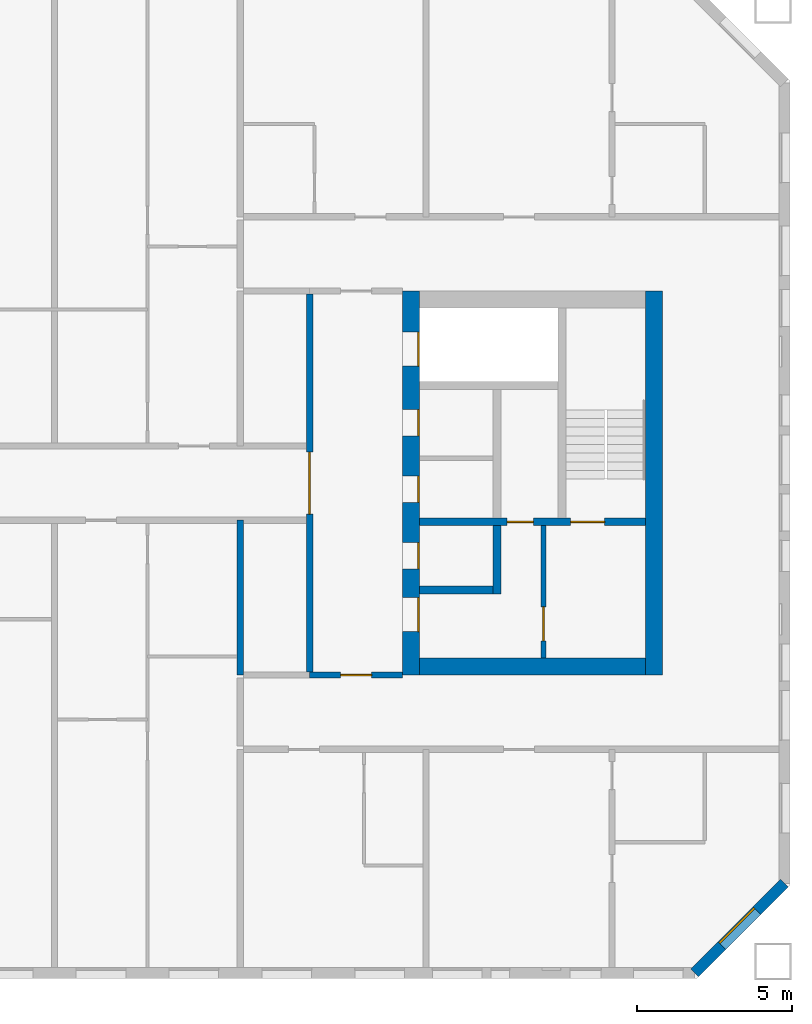
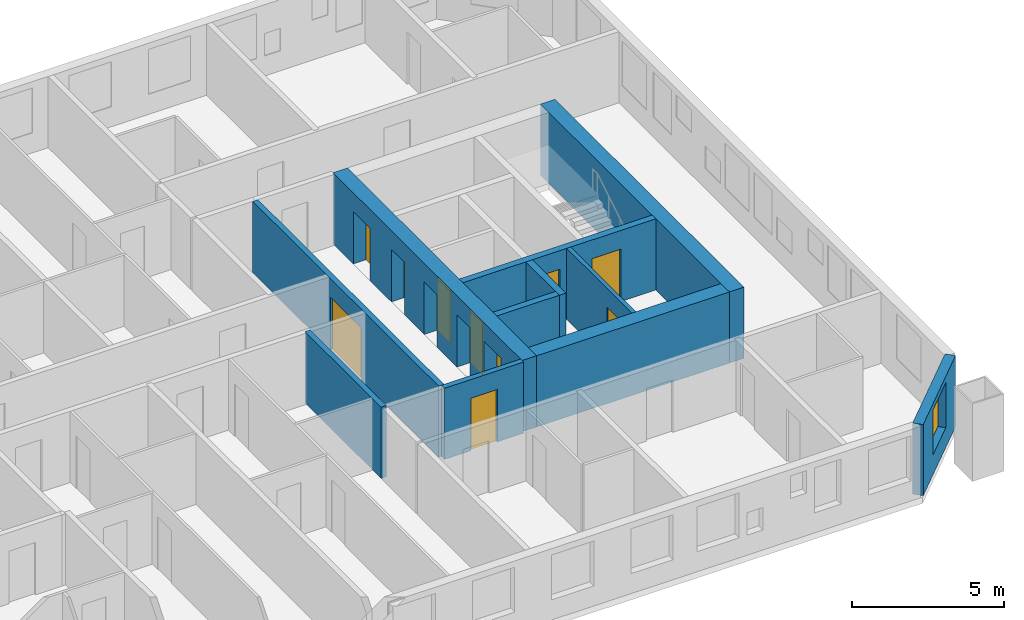
# One storey, part 13 of 17: 11 walls, 10 doors, 1 window, 11 openings.
"""IFC4 building model written with IfcOpenShell, lengths in metres."""

from ifc_helpers import new_model, si_unit, direction, frame, frame_2d, origin, place, context, subcontext, project, spatial, rectangle, extrude, material, layer, layer_set, type_object, element, fill, save


model = new_model("IFC4")

# Units and contexts
model_context = context("Model", 3, precision=1e-05, world=origin(), true_north=direction((0.0, 1.0)))
body_context = subcontext(model_context, "Body", "Model", "MODEL_VIEW")
ifc_project = project(units=[si_unit("LENGTHUNIT", "METRE"), si_unit("AREAUNIT", "SQUARE_METRE"), si_unit("VOLUMEUNIT", "CUBIC_METRE"), si_unit("PLANEANGLEUNIT", "RADIAN"), si_unit("MASSUNIT", "GRAM", prefix="KILO")], contexts=[model_context])

# Site, building, storey
site_placement = place(None, origin())
site = spatial("IfcSite", under=ifc_project, at=site_placement, CompositionType="ELEMENT")
building_placement = place(site_placement, origin())
building = spatial("IfcBuilding", under=site, at=building_placement, Name="Tuart Gate Housing", CompositionType="ELEMENT")
storey_placement = place(building_placement, frame((0.0, 0.0, 126.800048828125)))
storey = spatial("IfcBuildingStorey", under=building, at=storey_placement, Name="L35", CompositionType="ELEMENT", Elevation=126.800048828125)

# Wall, opening, window
ifc_material_1 = material(Name="Brick", Category="masonry")
ifc_layer_1 = layer(ifc_material_1, 0.360107421875)
ifc_layer_set_1 = layer_set([ifc_layer_1], Name="Brick pier and spandrel wall 360")
wall_type_1 = type_object("IfcWallType", Name="Brick pier and spandrel wall 360", PredefinedType="STANDARD", material=ifc_layer_set_1)
wall_1_placement = place(storey_placement, frame((169.67529296875, 54.179931640625, 0.0), z_axis=(0.0, 0.0, 1.0), x_axis=(0.707106781187, 0.707106781187, 0.0)))
wall_1 = element("IfcWall", 1, at=wall_1_placement, inside=storey, type_object=wall_type_1, Name="External wall B-SE L35", PredefinedType="STANDARD", context=body_context, shape_type="SweptSolid", body=[
    extrude(rectangle(XDim=4.09375, YDim=0.360107421875, at=frame_2d((2.046875, 0.0))), origin(), (0.0, 0.0, 1.0), 2.849853515625),
])
opening_1_placement = place(wall_1_placement, frame((1.2470703125, 0.0, 0.800048828125)))
opening_1 = element("IfcOpeningElement", 2, at=opening_1_placement, cuts=wall_1, Name="Opening W1", PredefinedType="OPENING", context=body_context, shape_type="SweptSolid", body=[
    extrude(rectangle(XDim=1.60009765625, YDim=1.800048828125, at=frame_2d((0.800048828125, 0.89990234375))), frame((0.0, 0.18994140625, 0.0), z_axis=(0.0, -1.0, 0.0), x_axis=(1.0, 0.0, 0.0)), (0.0, 0.0, 1.0), 0.380126953125),
])
ifc_material_2 = material(Name="Aluminium frame with clear glass", Category="aluminium")
window_type = type_object("IfcWindowType", Name="Punched window 1600 x 1800", PartitioningType="SINGLE_PANEL", PredefinedType="WINDOW", material=ifc_material_2)
window_placement = place(opening_1_placement, origin())
window = element("IfcWindow", 3, at=window_placement, inside=storey, type_object=window_type, Name="Window W1", OverallHeight=1.800048828125, OverallWidth=1.60009765625, PartitioningType="SINGLE_PANEL", PredefinedType="WINDOW", context=body_context, shape_type="SweptSolid", body=[
    extrude(rectangle(XDim=1.60009765625, YDim=1.800048828125, at=frame_2d((0.800048828125, 0.89990234375))), frame((0.0, 0.150146484375, 0.0), z_axis=(0.0, -1.0, 0.0), x_axis=(1.0, 0.0, 0.0)), (0.0, 0.0, 1.0), 0.06005859375),
])
fill(opening_1, window)

# Wall, opening, door
ifc_material_3 = material(Name="Plasterboard partition")
ifc_layer_2 = layer(ifc_material_3, 0.14990234375)
ifc_layer_set_2 = layer_set([ifc_layer_2], Name="Core partition 150")
wall_type_2 = type_object("IfcWallType", Name="Core partition 150", PredefinedType="PARTITIONING", material=ifc_layer_set_2)
wall_2_placement = place(storey_placement, frame((164.7900390625, 68.625, 0.0), z_axis=(0.0, 0.0, 1.0), x_axis=(0.0, -1.0, 0.0)))
wall_2 = element("IfcWall", 4, at=wall_2_placement, inside=storey, type_object=wall_type_2, Name="Core partition BK.7", PredefinedType="PARTITIONING", context=body_context, shape_type="SweptSolid", body=[
    extrude(rectangle(XDim=4.27490234375, YDim=0.14990234375, at=frame_2d((2.137451171875, 0.0))), origin(), (0.0, 0.0, 1.0), 2.849853515625),
])
opening_2_placement = place(wall_2_placement, frame((2.625, 0.0, 0.0)))
opening_2 = element("IfcOpeningElement", 5, at=opening_2_placement, cuts=wall_2, Name="Opening D1384", PredefinedType="OPENING", context=body_context, shape_type="SweptSolid", body=[
    extrude(rectangle(XDim=1.10009765625, YDim=2.10009765625, at=frame_2d((0.550048828125, 1.050048828125))), frame((0.0, 0.0849609375, 0.0), z_axis=(0.0, -1.0, 0.0), x_axis=(1.0, 0.0, 0.0)), (0.0, 0.0, 1.0), 0.169921875),
])
ifc_material_4 = material(Name="Steel fire door", Category="steel")
door_type_1 = type_object("IfcDoorType", Name="Lobby door 1100 x 2100 RH", OperationType="SINGLE_SWING_RIGHT", PredefinedType="DOOR", material=ifc_material_4)
door_1_placement = place(opening_2_placement, origin())
door_1 = element("IfcDoor", 6, at=door_1_placement, inside=storey, type_object=door_type_1, Name="Smoke lobby door BK.KD", OperationType="SINGLE_SWING_RIGHT", OverallHeight=2.10009765625, OverallWidth=1.10009765625, PredefinedType="DOOR", context=body_context, shape_type="SweptSolid", body=[
    extrude(rectangle(XDim=1.10009765625, YDim=2.10009765625, at=frame_2d((0.550048828125, 1.050048828125))), frame((0.0, 0.02490234375, 0.0), z_axis=(0.0, -1.0, 0.0), x_axis=(1.0, 0.0, 0.0)), (0.0, 0.0, 1.0), 0.050048828125),
])
fill(opening_2, door_1)

# Wall, openings, doors
ifc_material_5 = material(Name="Concrete C50", Category="concrete")
ifc_layer_3 = layer(ifc_material_5, 0.25)
ifc_layer_set_3 = layer_set([ifc_layer_3], Name="Core wall 250 C50")
wall_type_3 = type_object("IfcWallType", Name="Core wall 250 C50", PredefinedType="SHEAR", material=ifc_layer_set_3)
wall_3_placement = place(storey_placement, frame((160.7900390625, 68.75, 0.0), z_axis=(0.0, 0.0, 1.0), x_axis=(1.0, 0.0, 0.0)))
wall_3 = element("IfcWall", 7, at=wall_3_placement, inside=storey, type_object=wall_type_3, Name="Core wall BK.3", PredefinedType="SHEAR", context=body_context, shape_type="SweptSolid", body=[
    extrude(rectangle(XDim=7.300048828125, YDim=0.25, at=frame_2d((3.64990234375, 0.0))), origin(), (0.0, 0.0, 1.0), 2.849853515625),
])
opening_3_placement = place(wall_3_placement, frame((4.875, 0.0, 0.0)))
opening_3 = element("IfcOpeningElement", 8, at=opening_3_placement, cuts=wall_3, Name="Opening D1383", PredefinedType="OPENING", context=body_context, shape_type="SweptSolid", body=[
    extrude(rectangle(XDim=1.10009765625, YDim=2.10009765625, at=frame_2d((0.550048828125, 1.050048828125))), frame((0.0, 0.135009765625, 0.0), z_axis=(0.0, -1.0, 0.0), x_axis=(1.0, 0.0, 0.0)), (0.0, 0.0, 1.0), 0.27001953125),
])
opening_4_placement = place(wall_3_placement, frame((2.824951171875, 0.0, 0.0)))
opening_4 = element("IfcOpeningElement", 9, at=opening_4_placement, cuts=wall_3, Name="Opening D1382", PredefinedType="OPENING", context=body_context, shape_type="SweptSolid", body=[
    extrude(rectangle(XDim=0.85009765625, YDim=2.10009765625, at=frame_2d((0.425048828125, 1.050048828125))), frame((0.0, 0.135009765625, 0.0), z_axis=(0.0, -1.0, 0.0), x_axis=(1.0, 0.0, 0.0)), (0.0, 0.0, 1.0), 0.27001953125),
])
ifc_material_6 = material(Name="Steel fire door", Category="steel")
door_type_2 = type_object("IfcDoorType", Name="Riser door 850 x 2100", OperationType="SINGLE_SWING_LEFT", PredefinedType="DOOR", material=ifc_material_6)
door_2_placement = place(opening_4_placement, origin())
door_2 = element("IfcDoor", 10, at=door_2_placement, inside=storey, type_object=door_type_2, Name="Service room door BK.W1", OperationType="SINGLE_SWING_LEFT", OverallHeight=2.10009765625, OverallWidth=0.85009765625, PredefinedType="DOOR", context=body_context, shape_type="SweptSolid", body=[
    extrude(rectangle(XDim=0.85009765625, YDim=2.10009765625, at=frame_2d((0.425048828125, 1.050048828125))), frame((0.0, 0.02490234375, 0.0), z_axis=(0.0, -1.0, 0.0), x_axis=(1.0, 0.0, 0.0)), (0.0, 0.0, 1.0), 0.050048828125),
])
fill(opening_4, door_2)
ifc_material_7 = material(Name="Steel fire door", Category="steel")
door_type_3 = type_object("IfcDoorType", Name="Stair door 1100 x 2100", OperationType="SINGLE_SWING_LEFT", PredefinedType="DOOR", material=ifc_material_7)
door_3_placement = place(opening_3_placement, origin())
door_3 = element("IfcDoor", 11, at=door_3_placement, inside=storey, type_object=door_type_3, Name="Stair door BK.SD", OperationType="SINGLE_SWING_LEFT", OverallHeight=2.10009765625, OverallWidth=1.10009765625, PredefinedType="DOOR", context=body_context, shape_type="SweptSolid", body=[
    extrude(rectangle(XDim=1.10009765625, YDim=2.10009765625, at=frame_2d((0.550048828125, 1.050048828125))), frame((0.0, 0.02490234375, 0.0), z_axis=(0.0, -1.0, 0.0), x_axis=(1.0, 0.0, 0.0)), (0.0, 0.0, 1.0), 0.050048828125),
])
fill(opening_3, door_3)

# Walls
wall_4_placement = place(storey_placement, frame((160.7900390625, 66.550048828125, 0.0), z_axis=(0.0, 0.0, 1.0), x_axis=(1.0, 0.0, 0.0)))
element("IfcWall", 12, at=wall_4_placement, inside=storey, type_object=wall_type_3, Name="Core wall BK.4", PredefinedType="SHEAR", context=body_context, shape_type="SweptSolid", body=[
    extrude(rectangle(XDim=2.375, YDim=0.25, at=frame_2d((1.1875, 0.0))), origin(), (0.0, 0.0, 1.0), 2.849853515625),
])
wall_5_placement = place(storey_placement, frame((163.2900390625, 68.625, 0.0), z_axis=(0.0, 0.0, 1.0), x_axis=(0.0, -1.0, 0.0)))
element("IfcWall", 13, at=wall_5_placement, inside=storey, type_object=wall_type_3, Name="Core wall BK.6", PredefinedType="SHEAR", context=body_context, shape_type="SweptSolid", body=[
    extrude(rectangle(XDim=2.199951171875, YDim=0.25, at=frame_2d((1.10009765625, 0.0))), origin(), (0.0, 0.0, 1.0), 2.849853515625),
])

# Wall, openings, doors
ifc_material_8 = material(Name="Concrete C50", Category="concrete")
ifc_layer_4 = layer(ifc_material_8, 0.550048828125)
ifc_layer_set_4 = layer_set([ifc_layer_4], Name="Core wall 550 C50")
wall_type_4 = type_object("IfcWallType", Name="Core wall 550 C50", PredefinedType="SHEAR", material=ifc_layer_set_4)
wall_6_placement = place(storey_placement, frame((160.514892578125, 76.199951171875, 0.0), z_axis=(0.0, 0.0, 1.0), x_axis=(0.0, -1.0, 0.0)))
wall_6 = element("IfcWall", 14, at=wall_6_placement, inside=storey, type_object=wall_type_4, Name="Core wall BK front", PredefinedType="SHEAR", context=body_context, shape_type="SweptSolid", body=[
    extrude(rectangle(XDim=12.39990234375, YDim=0.550048828125, at=frame_2d((6.199951171875, 0.0))), origin(), (0.0, 0.0, 1.0), 2.849853515625),
])
opening_5_placement = place(wall_6_placement, frame((1.324951171875, 0.0, 0.0)))
opening_5 = element("IfcOpeningElement", 15, at=opening_5_placement, cuts=wall_6, Name="Opening LD-FB2", PredefinedType="OPENING", context=body_context, shape_type="SweptSolid", body=[
    extrude(rectangle(XDim=1.10009765625, YDim=2.10009765625, at=frame_2d((0.550048828125, 1.050048828125))), frame((0.0, 0.284912109375, 0.0), z_axis=(0.0, -1.0, 0.0), x_axis=(1.0, 0.0, 0.0)), (0.0, 0.0, 1.0), 0.570068359375),
])
opening_6_placement = place(wall_6_placement, frame((3.824951171875, 0.0, 0.0)))
opening_6 = element("IfcOpeningElement", 16, at=opening_6_placement, cuts=wall_6, Name="Opening D1377", PredefinedType="OPENING", context=body_context, shape_type="SweptSolid", body=[
    extrude(rectangle(XDim=0.85009765625, YDim=2.10009765625, at=frame_2d((0.425048828125, 1.050048828125))), frame((0.0, 0.284912109375, 0.0), z_axis=(0.0, -1.0, 0.0), x_axis=(1.0, 0.0, 0.0)), (0.0, 0.0, 1.0), 0.570068359375),
])
opening_7_placement = place(wall_6_placement, frame((5.97509765625, 0.0, 0.0)))
opening_7 = element("IfcOpeningElement", 17, at=opening_7_placement, cuts=wall_6, Name="Opening D1378", PredefinedType="OPENING", context=body_context, shape_type="SweptSolid", body=[
    extrude(rectangle(XDim=0.85009765625, YDim=2.10009765625, at=frame_2d((0.425048828125, 1.050048828125))), frame((0.0, 0.284912109375, 0.0), z_axis=(0.0, -1.0, 0.0), x_axis=(1.0, 0.0, 0.0)), (0.0, 0.0, 1.0), 0.570068359375),
])
opening_8_placement = place(wall_6_placement, frame((9.89990234375, 0.0, 0.0)))
opening_8 = element("IfcOpeningElement", 18, at=opening_8_placement, cuts=wall_6, Name="Opening D1376", PredefinedType="OPENING", context=body_context, shape_type="SweptSolid", body=[
    extrude(rectangle(XDim=1.10009765625, YDim=2.10009765625, at=frame_2d((0.550048828125, 1.050048828125))), frame((0.0, 0.284912109375, 0.0), z_axis=(0.0, -1.0, 0.0), x_axis=(1.0, 0.0, 0.0)), (0.0, 0.0, 1.0), 0.570068359375),
])
opening_9_placement = place(wall_6_placement, frame((8.125, 0.0, 0.0)))
opening_9 = element("IfcOpeningElement", 19, at=opening_9_placement, cuts=wall_6, Name="Opening D1379", PredefinedType="OPENING", context=body_context, shape_type="SweptSolid", body=[
    extrude(rectangle(XDim=0.85009765625, YDim=2.10009765625, at=frame_2d((0.425048828125, 1.050048828125))), frame((0.0, 0.284912109375, 0.0), z_axis=(0.0, -1.0, 0.0), x_axis=(1.0, 0.0, 0.0)), (0.0, 0.0, 1.0), 0.570068359375),
])
ifc_material_9 = material(Name="Stainless steel", Category="steel")
door_type_4 = type_object("IfcDoorType", Name="Landing door 1100 x 2100", OperationType="DOUBLE_DOOR_SLIDING", PredefinedType="DOOR", material=ifc_material_9)
door_4_placement = place(opening_5_placement, origin())
door_4 = element("IfcDoor", 20, at=door_4_placement, inside=storey, type_object=door_type_4, Name="Lift landing door FB2", OperationType="DOUBLE_DOOR_SLIDING", OverallHeight=2.10009765625, OverallWidth=1.10009765625, PredefinedType="DOOR", context=body_context, shape_type="SweptSolid", body=[
    extrude(rectangle(XDim=1.10009765625, YDim=2.10009765625, at=frame_2d((0.550048828125, 1.050048828125))), frame((0.0, 0.26025390625, 0.0), z_axis=(0.0, -1.0, 0.0), x_axis=(1.0, 0.0, 0.0)), (0.0, 0.0, 1.0), 0.050048828125),
])
fill(opening_5, door_4)
ifc_material_10 = material(Name="Steel fire door", Category="steel")
door_type_5 = type_object("IfcDoorType", Name="Lobby door 1100 x 2100", OperationType="SINGLE_SWING_LEFT", PredefinedType="DOOR", material=ifc_material_10)
door_5_placement = place(opening_8_placement, origin())
door_5 = element("IfcDoor", 21, at=door_5_placement, inside=storey, type_object=door_type_5, Name="Lobby entry door BK.EN", OperationType="SINGLE_SWING_LEFT", OverallHeight=2.10009765625, OverallWidth=1.10009765625, PredefinedType="DOOR", context=body_context, shape_type="SweptSolid", body=[
    extrude(rectangle(XDim=1.10009765625, YDim=2.10009765625, at=frame_2d((0.550048828125, 1.050048828125))), frame((0.0, 0.26025390625, 0.0), z_axis=(0.0, -1.0, 0.0), x_axis=(1.0, 0.0, 0.0)), (0.0, 0.0, 1.0), 0.050048828125),
])
fill(opening_8, door_5)
ifc_material_11 = material(Name="Steel fire door", Category="steel")
door_type_6 = type_object("IfcDoorType", Name="Service door 850 x 2100", OperationType="SINGLE_SWING_LEFT", PredefinedType="DOOR", material=ifc_material_11)
door_6_placement = place(opening_6_placement, origin())
door_6 = element("IfcDoor", 22, at=door_6_placement, inside=storey, type_object=door_type_6, Name="Service room door BK.FR1", OperationType="SINGLE_SWING_LEFT", OverallHeight=2.10009765625, OverallWidth=0.85009765625, PredefinedType="DOOR", context=body_context, shape_type="SweptSolid", body=[
    extrude(rectangle(XDim=0.85009765625, YDim=2.10009765625, at=frame_2d((0.425048828125, 1.050048828125))), frame((0.0, 0.26025390625, 0.0), z_axis=(0.0, -1.0, 0.0), x_axis=(1.0, 0.0, 0.0)), (0.0, 0.0, 1.0), 0.050048828125),
])
fill(opening_6, door_6)
door_7_placement = place(opening_7_placement, origin())
door_7 = element("IfcDoor", 23, at=door_7_placement, inside=storey, type_object=door_type_6, Name="Service room door BK.FR2", OperationType="SINGLE_SWING_LEFT", OverallHeight=2.10009765625, OverallWidth=0.85009765625, PredefinedType="DOOR", context=body_context, shape_type="SweptSolid", body=[
    extrude(rectangle(XDim=0.85009765625, YDim=2.10009765625, at=frame_2d((0.425048828125, 1.050048828125))), frame((0.0, 0.26025390625, 0.0), z_axis=(0.0, -1.0, 0.0), x_axis=(1.0, 0.0, 0.0)), (0.0, 0.0, 1.0), 0.050048828125),
])
fill(opening_7, door_7)
door_8_placement = place(opening_9_placement, origin())
door_8 = element("IfcDoor", 24, at=door_8_placement, inside=storey, type_object=door_type_6, Name="Service room door BK.T1", OperationType="SINGLE_SWING_LEFT", OverallHeight=2.10009765625, OverallWidth=0.85009765625, PredefinedType="DOOR", context=body_context, shape_type="SweptSolid", body=[
    extrude(rectangle(XDim=0.85009765625, YDim=2.10009765625, at=frame_2d((0.425048828125, 1.050048828125))), frame((0.0, 0.26025390625, 0.0), z_axis=(0.0, -1.0, 0.0), x_axis=(1.0, 0.0, 0.0)), (0.0, 0.0, 1.0), 0.050048828125),
])
fill(opening_9, door_8)

# Walls
wall_7_placement = place(storey_placement, frame((168.364990234375, 76.199951171875, 0.0), z_axis=(0.0, 0.0, 1.0), x_axis=(0.0, -1.0, 0.0)))
element("IfcWall", 25, at=wall_7_placement, inside=storey, type_object=wall_type_4, Name="Core wall BK back", PredefinedType="SHEAR", context=body_context, shape_type="SweptSolid", body=[
    extrude(rectangle(XDim=12.39990234375, YDim=0.550048828125, at=frame_2d((6.199951171875, 0.0))), origin(), (0.0, 0.0, 1.0), 2.849853515625),
])
wall_8_placement = place(storey_placement, frame((160.7900390625, 64.074951171875, 0.0), z_axis=(0.0, 0.0, 1.0), x_axis=(1.0, 0.0, 0.0)))
element("IfcWall", 26, at=wall_8_placement, inside=storey, type_object=wall_type_4, Name="Core wall BK north", PredefinedType="SHEAR", context=body_context, shape_type="SweptSolid", body=[
    extrude(rectangle(XDim=7.300048828125, YDim=0.550048828125, at=frame_2d((3.64990234375, 0.0))), origin(), (0.0, 0.0, 1.0), 2.849853515625),
])

# Wall, opening, door
ifc_material_12 = material(Name="Concrete masonry 15 MPa", Category="masonry")
ifc_layer_5 = layer(ifc_material_12, 0.199951171875)
ifc_layer_set_5 = layer_set([ifc_layer_5], Name="Enclosure wall masonry 200")
wall_type_5 = type_object("IfcWallType", Name="Enclosure wall masonry 200", PredefinedType="PARTITIONING", material=ifc_layer_set_5)
wall_9_placement = place(storey_placement, frame((157.239990234375, 63.800048828125, 0.0), z_axis=(0.0, 0.0, 1.0), x_axis=(1.0, 0.0, 0.0)))
wall_9 = element("IfcWall", 27, at=wall_9_placement, inside=storey, type_object=wall_type_5, Name="Enclosure wall masonry 200", PredefinedType="PARTITIONING", context=body_context, shape_type="SweptSolid", body=[
    extrude(rectangle(XDim=3.0, YDim=0.199951171875, at=frame_2d((1.5, 0.0))), origin(), (0.0, 0.0, 1.0), 2.849853515625),
])
opening_10_placement = place(wall_9_placement, frame((1.0, 0.0, 0.0)))
opening_10 = element("IfcOpeningElement", 28, at=opening_10_placement, cuts=wall_9, Name="Opening D1386", PredefinedType="OPENING", context=body_context, shape_type="SweptSolid", body=[
    extrude(rectangle(XDim=1.0, YDim=2.10009765625, at=frame_2d((0.5, 1.050048828125))), frame((0.0, 0.10986328125, 0.0), z_axis=(0.0, -1.0, 0.0), x_axis=(1.0, 0.0, 0.0)), (0.0, 0.0, 1.0), 0.219970703125),
])
ifc_material_13 = material(Name="Timber door leaf in steel frame", Category="steel")
door_type_7 = type_object("IfcDoorType", Name="Fire door 1000 RH", OperationType="SINGLE_SWING_RIGHT", PredefinedType="DOOR", material=ifc_material_13)
door_9_placement = place(opening_10_placement, frame((1.0, 0.0, 0.0), z_axis=(0.0, 0.0, 1.0), x_axis=(-1.0, 0.0, 0.0)))
door_9 = element("IfcDoor", 29, at=door_9_placement, inside=storey, type_object=door_type_7, Name="Fire door", OperationType="SINGLE_SWING_RIGHT", OverallHeight=2.10009765625, OverallWidth=1.0, PredefinedType="DOOR", context=body_context, shape_type="SweptSolid", body=[
    extrude(rectangle(XDim=1.0, YDim=2.10009765625, at=frame_2d((0.5, 1.050048828125))), frame((0.0, 0.025146484375, 0.0), z_axis=(0.0, -1.0, 0.0), x_axis=(1.0, 0.0, 0.0)), (0.0, 0.0, 1.0), 0.050048828125),
])
fill(opening_10, door_9)

ifc_material_14 = material(Name="Plasterboard partition")
ifc_layer_6 = layer(ifc_material_14, 0.199951171875)
ifc_layer_set_6 = layer_set([ifc_layer_6], Name="Lobby wall 200")
wall_type_6 = type_object("IfcWallType", Name="Lobby wall 200", PredefinedType="PARTITIONING", material=ifc_layer_set_6)
wall_10_placement = place(storey_placement, frame((157.239990234375, 63.89990234375, 0.0), z_axis=(0.0, 0.0, 1.0), x_axis=(0.0, 1.0, 0.0)))
wall_10 = element("IfcWall", 30, at=wall_10_placement, inside=storey, type_object=wall_type_6, Name="Lift lobby wall BK", PredefinedType="PARTITIONING", context=body_context, shape_type="SweptSolid", body=[
    extrude(rectangle(XDim=12.2001953125, YDim=0.199951171875, at=frame_2d((6.10009765625, 0.0))), origin(), (0.0, 0.0, 1.0), 2.849853515625),
])
opening_11_placement = place(wall_10_placement, frame((5.10009765625, 0.0, 0.0)))
opening_11 = element("IfcOpeningElement", 31, at=opening_11_placement, cuts=wall_10, Name="Opening D1375", PredefinedType="OPENING", context=body_context, shape_type="SweptSolid", body=[
    extrude(rectangle(XDim=2.0, YDim=2.10009765625, at=frame_2d((1.0, 1.050048828125))), frame((0.0, 0.10986328125, 0.0), z_axis=(0.0, -1.0, 0.0), x_axis=(1.0, 0.0, 0.0)), (0.0, 0.0, 1.0), 0.219970703125),
])
ifc_material_15 = material(Name="Steel fire door", Category="steel")
door_type_8 = type_object("IfcDoorType", Name="Smoke door 2000 x 2100", OperationType="DOUBLE_DOOR_SINGLE_SWING", PredefinedType="DOOR", material=ifc_material_15)
door_10_placement = place(opening_11_placement, frame((2.0, 0.0, 0.0), z_axis=(0.0, 0.0, 1.0), x_axis=(-1.0, 0.0, 0.0)))
door_10 = element("IfcDoor", 32, at=door_10_placement, inside=storey, type_object=door_type_8, Name="Lift lobby smoke door BK", OperationType="DOUBLE_DOOR_SINGLE_SWING", OverallHeight=2.10009765625, OverallWidth=2.0, PredefinedType="DOOR", context=body_context, shape_type="SweptSolid", body=[
    extrude(rectangle(XDim=2.0, YDim=2.10009765625, at=frame_2d((1.0, 1.050048828125))), frame((0.0, 0.025146484375, 0.0), z_axis=(0.0, -1.0, 0.0), x_axis=(1.0, 0.0, 0.0)), (0.0, 0.0, 1.0), 0.050048828125),
])
fill(opening_11, door_10)

# Wall
ifc_material_16 = material(Name="Concrete C40", Category="concrete")
ifc_layer_7 = layer(ifc_material_16, 0.199951171875)
ifc_layer_set_7 = layer_set([ifc_layer_7], Name="Party wall concrete C40 200")
wall_type_7 = type_object("IfcWallType", Name="Party wall concrete C40 200", PredefinedType="SOLIDWALL", material=ifc_layer_set_7)
wall_11_placement = place(storey_placement, frame((155.0, 63.800048828125, 0.0), z_axis=(0.0, 0.0, 1.0), x_axis=(0.0, 1.0, 0.0)))
element("IfcWall", 33, at=wall_11_placement, inside=storey, type_object=wall_type_7, Name="Party wall concrete C40 200", PredefinedType="SOLIDWALL", context=body_context, shape_type="SweptSolid", body=[
    extrude(rectangle(XDim=5.0, YDim=0.199951171875, at=frame_2d((2.5, 0.0))), origin(), (0.0, 0.0, 1.0), 2.849853515625),
])

save(model, "model.ifc")
